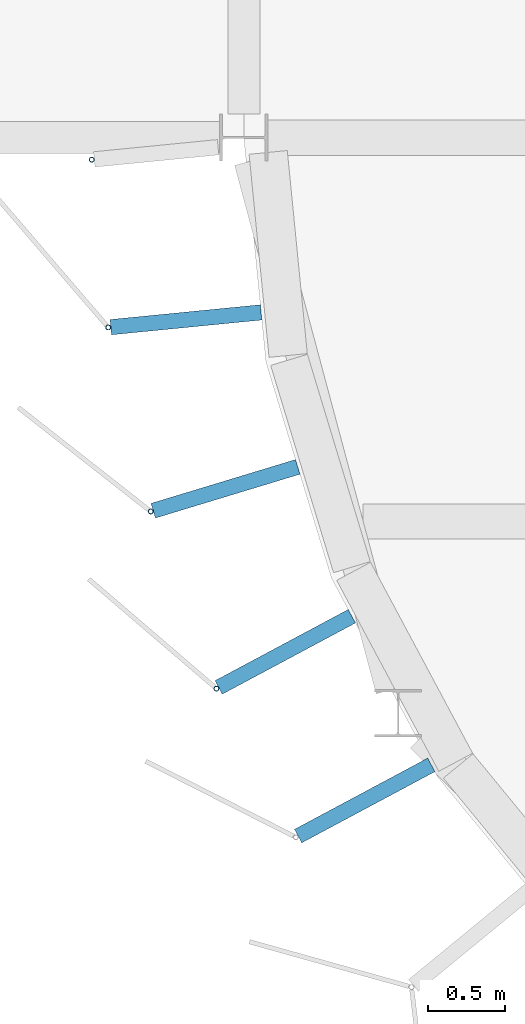
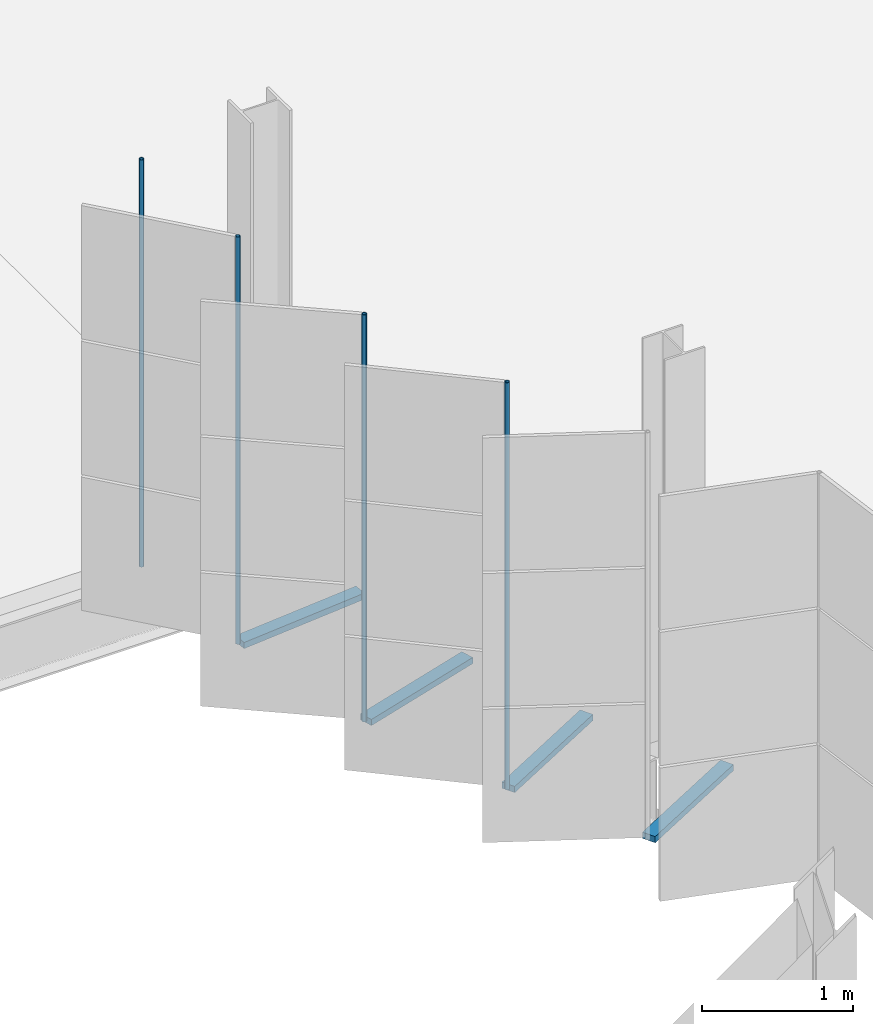
# One storey, part 90 of 199: 8 discrete accessories.
"""IFC4 building model written with IfcOpenShell, lengths in metres."""

from ifc_helpers import new_model, si_unit, direction, frame, origin, origin_2d, place, context, subcontext, project, spatial, rectangle, hollow_circle, extrude, material, material_profile, profile_set, type_object, element, save


model = new_model("IFC4")

# Units and contexts
model_context = context("Model", 3, precision=1e-05, world=origin(), true_north=direction((0.0, 1.0)))
body_context = subcontext(model_context, "Body", "Model", "MODEL_VIEW")
ifc_project = project(units=[si_unit("LENGTHUNIT", "METRE"), si_unit("AREAUNIT", "SQUARE_METRE"), si_unit("VOLUMEUNIT", "CUBIC_METRE"), si_unit("PLANEANGLEUNIT", "RADIAN"), si_unit("MASSUNIT", "GRAM", prefix="KILO")], contexts=[model_context])

# Site, building, storey
site_placement = place(None, origin())
site = spatial("IfcSite", under=ifc_project, at=site_placement, CompositionType="ELEMENT")
building_placement = place(site_placement, origin())
building = spatial("IfcBuilding", under=site, at=building_placement, Name="Parallax Yard Mobility Hub", CompositionType="ELEMENT")
storey_placement = place(building_placement, frame((0.0, 0.0, 9.89990234375)))
storey = spatial("IfcBuildingStorey", under=building, at=storey_placement, Name="L03", CompositionType="ELEMENT", Elevation=9.89990234375)

# Discrete accessories
ifc_material_1 = material(Name="Steel ASTM A36, hot-dip galvanised", Category="steel")
discrete_accessory_type_1 = type_object("IfcDiscreteAccessoryType", Name="Hinge bracket plate 100x50", PredefinedType="BRACKET", material=ifc_material_1)
for number, where, z_axis, x_axis, name in (
    (1, (194.622802734375, 28.8134765625, -0.02490234375), (0.0, 0.0, 1.0), (-0.995184726672, -0.09801714033, 0.0), "Hinge bracket plate bay 30.2 level L03"),
    (2, (194.880615234375, 27.712158203125, -0.02490234375), (0.0, 0.0, 1.0), (-0.956940335732, -0.290284677254, 0.0), "Hinge bracket plate bay 30.3 level L03"),
    (3, (195.27001953125, 26.64990234375, -0.02490234375), (0.0, 0.0, 1.0), (-0.881921264348, -0.471396736826, 0.0), "Hinge bracket plate bay 30.4 level L03"),
    (4, (195.787841796875, 25.681396484375, -0.02490234375), (0.0, 0.0, 1.0), (-0.881921264348, -0.471396736826, 0.0), "Hinge bracket plate bay 30.5 level L03"),
):
    element("IfcDiscreteAccessory", number, at=place(storey_placement, frame(where, z_axis=z_axis, x_axis=x_axis)), inside=storey, type_object=discrete_accessory_type_1, Name=name, PredefinedType="BRACKET", context=body_context, shape_type="SweptSolid", body=[
        extrude(rectangle(XDim=0.984130859375, YDim=0.10009765625, at=origin_2d()), origin(), (0.0, 0.0, 1.0), 0.050048828125),
    ])
ifc_material_2 = material(Name="Steel ASTM A500 Gr C, hot-dip galvanised", Category="steel")
ifc_material_profile = material_profile(ifc_material_2, hollow_circle(Radius=0.016845703125, WallThickness=0.003173828125, at=origin_2d()), Name="CHS 33.7x3.2")
ifc_profile_set = profile_set([ifc_material_profile], Name="Steel ASTM A500 Gr C, hot-dip galvanised")
discrete_accessory_type_2 = type_object("IfcDiscreteAccessoryType", Name="Hinge post CHS 33.7x3.2", PredefinedType="BRACKET", material=ifc_profile_set)
for number, where, z_axis, x_axis, name in (
    (5, (194.00927734375, 29.8564453125, 0.0), (0.0, 0.0, 1.0), (1.0, 0.0, 0.0), "Hinge post bay 30.1 level L03"),
    (6, (194.116943359375, 28.763671875, 0.0), (0.0, 0.0, 1.0), (1.0, 0.0, 0.0), "Hinge post bay 30.2 level L03"),
    (7, (194.39404296875, 27.564697265625, 0.0), (0.0, 0.0, 1.0), (1.0, 0.0, 0.0), "Hinge post bay 30.3 level L03"),
    (8, (194.82177734375, 26.41015625, 0.0), (0.0, 0.0, 1.0), (1.0, 0.0, 0.0), "Hinge post bay 30.4 level L03"),
):
    element("IfcDiscreteAccessory", number, at=place(storey_placement, frame(where, z_axis=z_axis, x_axis=x_axis)), inside=storey, type_object=discrete_accessory_type_2, Name=name, PredefinedType="BRACKET", context=body_context, shape_type="SweptSolid", body=[
        extrude(hollow_circle(Radius=0.016845703125, WallThickness=0.003173828125, at=origin_2d()), origin(), (0.0, 0.0, 1.0), 3.300048828125),
    ])

save(model, "model.ifc")
